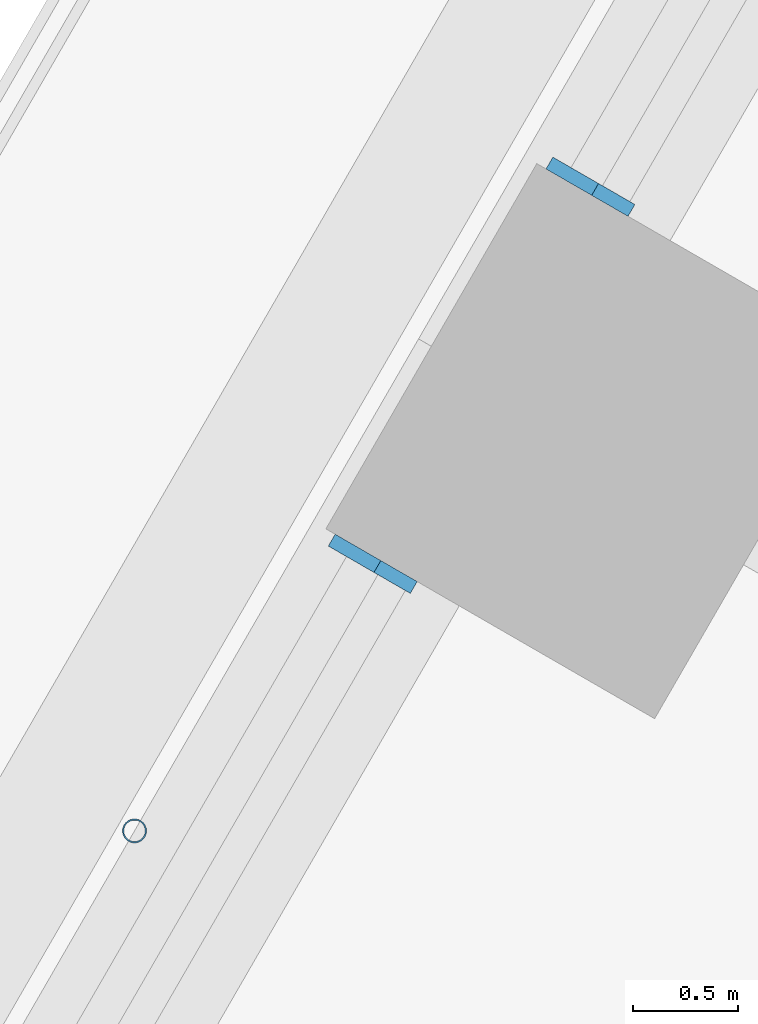
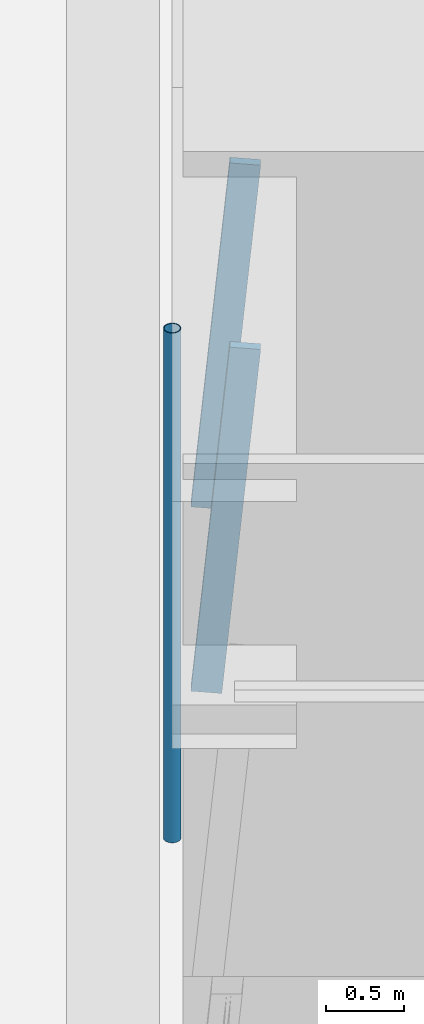
# One storey, part 7 of 23: 3 members, 2 elements without a shape of their own.
"""IFC4 building model written with IfcOpenShell, lengths in metres."""

from ifc_helpers import new_model, si_unit, direction, frame, origin, origin_2d, place, context, subcontext, project, spatial, rectangle, hollow_circle, extrude, material, material_profile, profile_set, type_object, element, aggregate, save


model = new_model("IFC4")

# Units and contexts
model_context = context("Model", 3, precision=1e-05, world=origin(), true_north=direction((0.0, 1.0)))
body_context = subcontext(model_context, "Body", "Model", "MODEL_VIEW")
ifc_project = project(units=[si_unit("LENGTHUNIT", "METRE"), si_unit("AREAUNIT", "SQUARE_METRE"), si_unit("VOLUMEUNIT", "CUBIC_METRE"), si_unit("PLANEANGLEUNIT", "RADIAN"), si_unit("MASSUNIT", "GRAM", prefix="KILO")], contexts=[model_context])

# Site, building, storey
site_placement = place(None, origin())
site = spatial("IfcSite", under=ifc_project, at=site_placement, CompositionType="ELEMENT")
building_placement = place(site_placement, origin())
building = spatial("IfcBuilding", under=site, at=building_placement, Name="Tarfa Lantern Tower", CompositionType="ELEMENT")
storey_placement = place(building_placement, frame((0.0, 0.0, 57.10009765625)))
storey = spatial("IfcBuildingStorey", under=building, at=storey_placement, Name="L12", CompositionType="ELEMENT", Elevation=57.10009765625)

# Curtain wall, member
ifc_material_1 = material(Name="Aluminium framed curtain wall", Category="aluminium")
curtain_wall_type = type_object("IfcCurtainWallType", Name="CW1 CANTED GLAZING LOW ZONE 2700", PredefinedType="USERDEFINED", material=ifc_material_1)
curtain_wall_1_placement = place(storey_placement, origin())
curtain_wall_1 = element("IfcCurtainWall", 1, at=curtain_wall_1_placement, inside=storey, type_object=curtain_wall_type, Name="CW1 NW L12", ObjectType="CURTAIN WALL", PredefinedType="USERDEFINED")
ifc_material_2 = material(Name="Aluminium mullion", Category="aluminium")
ifc_material_profile_1 = material_profile(ifc_material_2, rectangle(XDim=0.06494140625, YDim=0.199951171875, at=origin_2d()), Name="AL MULLION 65x200")
ifc_profile_set_1 = profile_set([ifc_material_profile_1], Name="Aluminium mullion")
member_type_1 = type_object("IfcMemberType", Name="CWM1 MULLION 65x200", PredefinedType="MULLION", material=ifc_profile_set_1)
member_1_placement = place(storey_placement, frame((-31.536376953125, 13.177490234375, 0.0), z_axis=(0.07986442134, -0.046099868913, 0.99573916077), x_axis=(0.499919672301, 0.866071776036, 0.0)))
member_1 = element("IfcMember", 2, at=member_1_placement, type_object=member_type_1, Name="CW1 mullion 2", PredefinedType="MULLION", context=body_context, shape_type="SweptSolid", body=[
    extrude(rectangle(XDim=0.06494140625, YDim=0.199951171875, at=origin_2d()), origin(), (0.0, 0.0, 1.0), 2.71142578125),
])
aggregate(curtain_wall_1, [member_1])

curtain_wall_2_placement = place(storey_placement, origin())
curtain_wall_2 = element("IfcCurtainWall", 3, at=curtain_wall_2_placement, inside=storey, type_object=curtain_wall_type, Name="CW1 NW L12", ObjectType="CURTAIN WALL", PredefinedType="USERDEFINED")
member_2_placement = place(storey_placement, frame((-32.56884765625, 11.38916015625, 0.0), z_axis=(0.07986442134, -0.046099868913, 0.99573916077), x_axis=(0.499919672301, 0.866071776036, 0.0)))
member_2 = element("IfcMember", 4, at=member_2_placement, type_object=member_type_1, Name="CW1 mullion 1", PredefinedType="MULLION", context=body_context, shape_type="SweptSolid", body=[
    extrude(rectangle(XDim=0.06494140625, YDim=0.199951171875, at=origin_2d()), origin(), (0.0, 0.0, 1.0), 2.71142578125),
])
aggregate(curtain_wall_2, [member_2])

# Member
ifc_material_3 = material(Name="Steel S355", Category="steel")
ifc_material_profile_2 = material_profile(ifc_material_3, hollow_circle(Radius=0.05712890625, WallThickness=0.00634765625, at=origin_2d()), Name="CHS114.3x6.3")
ifc_profile_set_2 = profile_set([ifc_material_profile_2], Name="Steel S355")
member_type_2 = type_object("IfcMemberType", Name="TR1 GREEN WALL TRELLIS CHS114.3x6.3", PredefinedType="USERDEFINED", material=ifc_profile_set_2)
member_3_placement = place(storey_placement, frame((-33.59033203125, 10.06005859375, 0.0), z_axis=(0.0, 0.0, 1.0), x_axis=(1.0, 0.0, 0.0)))
element("IfcMember", 5, at=member_3_placement, inside=storey, type_object=member_type_2, Name="Trellis post NW 2", ObjectType="TRELLIS", PredefinedType="USERDEFINED", context=body_context, shape_type="SweptSolid", body=[
    extrude(hollow_circle(Radius=0.05712890625, WallThickness=0.00634765625, at=origin_2d()), origin(), (0.0, 0.0, 1.0), 4.0),
])

save(model, "model.ifc")
